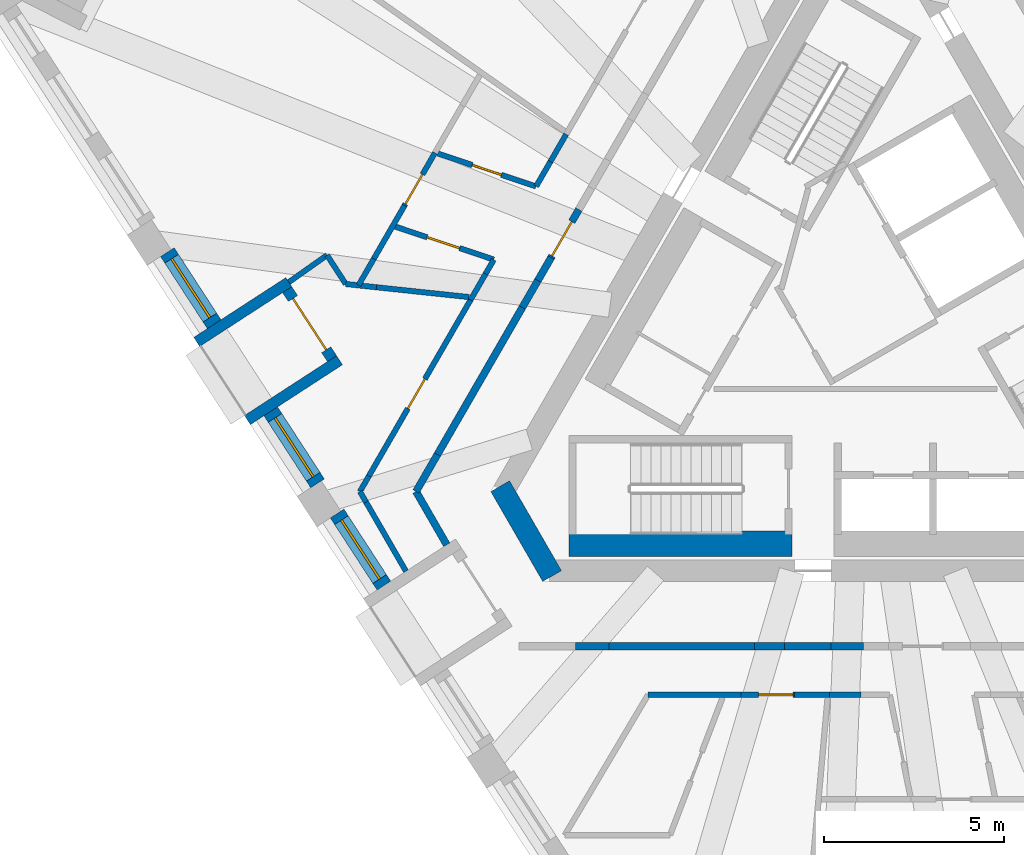
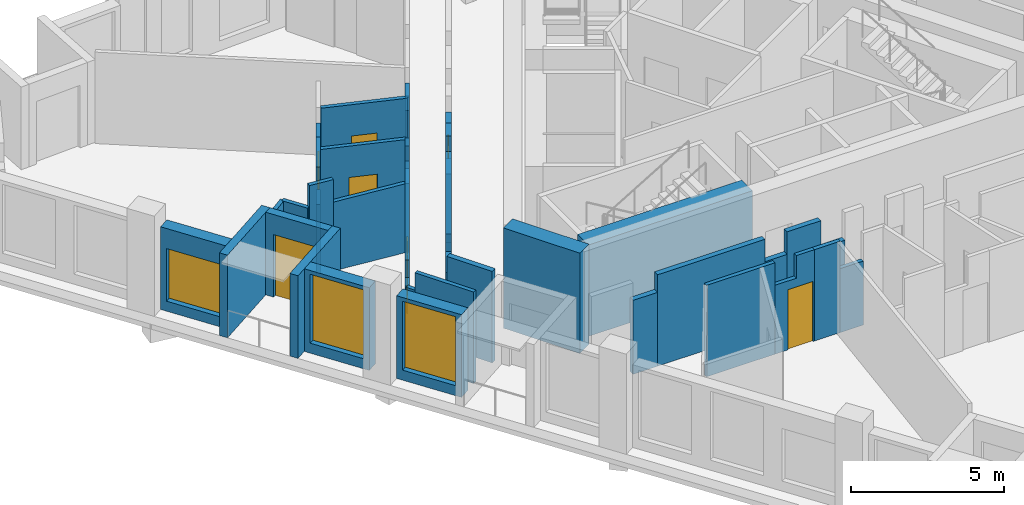
# One storey, part 3 of 13: 40 walls, 7 doors, 3 windows, 10 openings.
"""IFC4 building model written with IfcOpenShell, lengths in metres."""

from ifc_helpers import new_model, si_unit, direction, frame, frame_2d, origin, place, context, subcontext, project, spatial, polyline, rectangle, outline, extrude, material, layer, layer_set, type_object, element, fill, save


model = new_model("IFC4")

# Units and contexts
model_context = context("Model", 3, precision=1e-05, world=origin(), true_north=direction((0.0, 1.0)))
body_context = subcontext(model_context, "Body", "Model", "MODEL_VIEW")
ifc_project = project(units=[si_unit("LENGTHUNIT", "METRE"), si_unit("AREAUNIT", "SQUARE_METRE"), si_unit("VOLUMEUNIT", "CUBIC_METRE"), si_unit("PLANEANGLEUNIT", "RADIAN"), si_unit("MASSUNIT", "GRAM", prefix="KILO")], contexts=[model_context])

# Site, building, storey
site_placement = place(None, origin())
site = spatial("IfcSite", under=ifc_project, at=site_placement, CompositionType="ELEMENT")
building_placement = place(site_placement, origin())
building = spatial("IfcBuilding", under=site, at=building_placement, Name="Tramontana Tower", CompositionType="ELEMENT")
storey_placement = place(building_placement, frame((0.0, 0.0, 286.39990234375)))
storey = spatial("IfcBuildingStorey", under=building, at=storey_placement, Name="L67", CompositionType="ELEMENT", Elevation=286.39990234375)

# Walls
ifc_material_1 = material(Name="Concrete 70 MPa", Category="concrete")
ifc_layer_1 = layer(ifc_material_1, 0.60009765625)
ifc_layer_set_1 = layer_set([ifc_layer_1], Name="Core wall 600 70 MPa")
wall_type_1 = type_object("IfcWallType", Name="Core wall 600 70 MPa", PredefinedType="SHEAR", material=ifc_layer_set_1)
wall_1_placement = place(storey_placement, frame((-9.98828125, -4.10009765625, 0.0), z_axis=(0.0, 0.0, 1.0), x_axis=(0.499995765644, -0.866027848477, 0.0)))
element("IfcWall", 1, at=wall_1_placement, inside=storey, type_object=wall_type_1, Name="Core wall C2 L67", PredefinedType="SHEAR", context=body_context, shape_type="SweptSolid", body=[
    extrude(rectangle(XDim=2.88671875, YDim=0.60009765625, at=frame_2d((1.443359375, 0.0))), origin(), (0.0, 0.0, 1.0), 4.0),
])
ifc_material_2 = material(Name="Blockwork", Category="masonry")
ifc_layer_2 = layer(ifc_material_2, 0.199951171875)
ifc_layer_set_2 = layer_set([ifc_layer_2], Name="ENTRY WALL 200")
wall_type_2 = type_object("IfcWallType", Name="ENTRY WALL 200", PredefinedType="SOLIDWALL", material=ifc_layer_set_2)
wall_2_placement = place(storey_placement, frame((0.104248046875, -8.550048828125, 0.0), z_axis=(0.0, 0.0, 1.0), x_axis=(-1.0, 0.0, 0.0)))
element("IfcWall", 2, at=wall_2_placement, inside=storey, type_object=wall_type_2, Name="Wall v71-ew1-6", PredefinedType="SOLIDWALL", context=body_context, shape_type="SweptSolid", body=[
    extrude(rectangle(XDim=0.900634765625, YDim=0.199951171875, at=frame_2d((0.4501953125, 0.0))), origin(), (0.0, 0.0, 1.0), 2.550048828125),
])
wall_3_placement = place(storey_placement, frame((-0.79638671875, -8.550048828125, 0.0), z_axis=(0.0, 0.0, 1.0), x_axis=(-1.0, 0.0, 0.0)))
element("IfcWall", 3, at=wall_3_placement, inside=storey, type_object=wall_type_2, Name="Wall v71-ew1-7", PredefinedType="SOLIDWALL", context=body_context, shape_type="SweptSolid", body=[
    extrude(rectangle(XDim=1.2861328125, YDim=0.199951171875, at=frame_2d((0.64306640625, 0.0))), origin(), (0.0, 0.0, 1.0), 3.650146484375),
])
wall_4_placement = place(storey_placement, frame((-2.08251953125, -8.550048828125, 0.0), z_axis=(0.0, 0.0, 1.0), x_axis=(-1.0, 0.0, 0.0)))
element("IfcWall", 4, at=wall_4_placement, inside=storey, type_object=wall_type_2, Name="Wall v71-ew1-8", PredefinedType="SOLIDWALL", context=body_context, shape_type="SweptSolid", body=[
    extrude(rectangle(XDim=0.83349609375, YDim=0.199951171875, at=frame_2d((0.416748046875, 0.0))), origin(), (0.0, 0.0, 1.0), 2.75),
])
wall_5_placement = place(storey_placement, frame((-2.916015625, -8.550048828125, 0.0), z_axis=(0.0, 0.0, 1.0), x_axis=(-1.0, 0.0, 0.0)))
element("IfcWall", 5, at=wall_5_placement, inside=storey, type_object=wall_type_2, Name="Wall v71-ew1-9", PredefinedType="SOLIDWALL", context=body_context, shape_type="SweptSolid", body=[
    extrude(rectangle(XDim=4.052490234375, YDim=0.199951171875, at=frame_2d((2.0263671875, 0.0))), origin(), (0.0, 0.0, 1.0), 3.650146484375),
])
wall_6_placement = place(storey_placement, frame((-6.968505859375, -8.550048828125, 0.0), z_axis=(0.0, 0.0, 1.0), x_axis=(-1.0, 0.0, 0.0)))
element("IfcWall", 6, at=wall_6_placement, inside=storey, type_object=wall_type_2, Name="Wall v71-ew1-10", PredefinedType="SOLIDWALL", context=body_context, shape_type="SweptSolid", body=[
    extrude(rectangle(XDim=0.927490234375, YDim=0.199951171875, at=frame_2d((0.4638671875, 0.0))), origin(), (0.0, 0.0, 1.0), 2.9501953125),
])
wall_7_placement = place(storey_placement, frame((-11.472412109375, -5.729248046875, 0.0), z_axis=(0.0, 0.0, 1.0), x_axis=(-0.499982281718, 0.866035633198, 0.0)))
element("IfcWall", 7, at=wall_7_placement, inside=storey, type_object=wall_type_2, Name="Wall v71-ew2", PredefinedType="SOLIDWALL", context=body_context, shape_type="SweptSolid", body=[
    extrude(rectangle(XDim=1.7080078125, YDim=0.199951171875, at=frame_2d((0.85400390625, 0.0))), origin(), (0.0, 0.0, 1.0), 3.650146484375),
])
wall_8_placement = place(storey_placement, frame((-12.326416015625, -4.25, 0.0), z_axis=(0.0, 0.0, 1.0), x_axis=(0.499983247966, 0.86603507536, 0.0)))
element("IfcWall", 8, at=wall_8_placement, inside=storey, type_object=wall_type_2, Name="Wall v71-ew3-0", PredefinedType="SOLIDWALL", context=body_context, shape_type="SweptSolid", body=[
    extrude(rectangle(XDim=1.1884765625, YDim=0.199951171875, at=frame_2d((0.59423828125, 0.0))), origin(), (0.0, 0.0, 1.0), 2.9501953125),
])
wall_9_placement = place(storey_placement, frame((-11.732177734375, -3.220703125, 0.0), z_axis=(0.0, 0.0, 1.0), x_axis=(0.500007683529, 0.866020967652, 0.0)))
element("IfcWall", 9, at=wall_9_placement, inside=storey, type_object=wall_type_2, Name="Wall v71-ew3-1", PredefinedType="SOLIDWALL", context=body_context, shape_type="SweptSolid", body=[
    extrude(rectangle(XDim=4.71728515625, YDim=0.199951171875, at=frame_2d((2.358642578125, 0.0))), origin(), (0.0, 0.0, 1.0), 3.650146484375),
])
wall_10_placement = place(storey_placement, frame((-9.37353515625, 0.864501953125, 0.0), z_axis=(0.0, 0.0, 1.0), x_axis=(0.500056482814, 0.86599279096, 0.0)))
element("IfcWall", 10, at=wall_10_placement, inside=storey, type_object=wall_type_2, Name="Wall v71-ew3-2", PredefinedType="SOLIDWALL", context=body_context, shape_type="SweptSolid", body=[
    extrude(rectangle(XDim=0.86474609375, YDim=0.199951171875, at=frame_2d((0.432373046875, 0.0))), origin(), (0.0, 0.0, 1.0), 2.75),
])
wall_11_placement = place(storey_placement, frame((-8.941162109375, 1.61328125, 0.0), z_axis=(0.0, 0.0, 1.0), x_axis=(0.499875190247, 0.866097450739, 0.0)))
element("IfcWall", 11, at=wall_11_placement, inside=storey, type_object=wall_type_2, Name="Wall v71-ew3-3", PredefinedType="SOLIDWALL", context=body_context, shape_type="SweptSolid", body=[
    extrude(rectangle(XDim=0.738037109375, YDim=0.199951171875, at=frame_2d((0.369140625, 0.0))), origin(), (0.0, 0.0, 1.0), 3.650146484375),
])

# Wall, opening, door
wall_12_placement = place(storey_placement, frame((-8.572265625, 2.25244140625, 0.0), z_axis=(0.0, 0.0, 1.0), x_axis=(0.499992328818, 0.866029832698, 0.0)))
wall_12 = element("IfcWall", 12, at=wall_12_placement, inside=storey, type_object=wall_type_2, Name="Wall v71-ew3-4", PredefinedType="SOLIDWALL", context=body_context, shape_type="SweptSolid", body=[
    extrude(outline(polyline([(0.0, 0.0), (1.5400390625, 0.0), (1.5400390625, 2.550048828125), (0.63037109375, 2.550048828125), (0.63037109375, 3.650146484375), (0.0, 3.650146484375), (0.0, 0.0)])), frame((0.0, 0.10009765625, 0.0), z_axis=(0.0, -1.0, 0.0), x_axis=(1.0, 0.0, 0.0)), (0.0, 0.0, 1.0), 0.199951171875),
])
opening_1_placement = place(wall_12_placement, frame((0.050048828125, 0.0, 0.0)))
opening_1 = element("IfcOpeningElement", 13, at=opening_1_placement, cuts=wall_12, Name="Opening B7B-20", PredefinedType="OPENING", context=body_context, shape_type="SweptSolid", body=[
    extrude(rectangle(XDim=1.10009765625, YDim=2.39990234375, at=frame_2d((0.550048828125, 1.199951171875))), frame((0.0, 0.10986328125, 0.0), z_axis=(0.0, -1.0, 0.0), x_axis=(1.0, 0.0, 0.0)), (0.0, 0.0, 1.0), 0.219970703125),
])
ifc_material_3 = material(Name="Painted timber", Category="wood")
door_type_1 = type_object("IfcDoorType", Name="DOOR ENTRY 1100", OperationType="SINGLE_SWING_LEFT", PredefinedType="DOOR", material=ifc_material_3)
door_1_placement = place(opening_1_placement, origin())
door_1 = element("IfcDoor", 14, at=door_1_placement, inside=storey, type_object=door_type_1, Name="Door B7B-20", OperationType="SINGLE_SWING_RIGHT", OverallHeight=2.39990234375, OverallWidth=1.10009765625, PredefinedType="DOOR", context=body_context, shape_type="SweptSolid", body=[
    extrude(rectangle(XDim=1.10009765625, YDim=2.39990234375, at=frame_2d((0.550048828125, 1.199951171875))), frame((0.0, 0.02490234375, 0.0), z_axis=(0.0, -1.0, 0.0), x_axis=(1.0, 0.0, 0.0)), (0.0, 0.0, 1.0), 0.050048828125),
])
fill(opening_1, door_1)

# Wall, opening, window
ifc_material_4 = material(Name="Precast concrete 60 MPa", Category="concrete")
ifc_layer_3 = layer(ifc_material_4, 0.449951171875)
ifc_layer_set_3 = layer_set([ifc_layer_3], Name="Precast concrete 60 MPa, 450 mm")
wall_type_3 = type_object("IfcWallType", Name="EW1 Stone-faced precast wall 450", PredefinedType="SOLIDWALL", material=ifc_layer_set_3)
wall_13_placement = place(storey_placement, frame((-19.236083984375, 2.401123046875, 0.0), z_axis=(0.0, 0.0, 1.0), x_axis=(0.544675520966, -0.838646872563, 0.0)))
wall_13 = element("IfcWall", 15, at=wall_13_placement, inside=storey, type_object=wall_type_3, Name="External wall L67 face 0 bay 2", PredefinedType="SOLIDWALL", context=body_context, shape_type="SweptSolid", body=[
    extrude(rectangle(XDim=2.38671875, YDim=0.449951171875, at=frame_2d((1.193359375, 0.0))), origin(), (0.0, 0.0, 1.0), 3.300048828125),
])
opening_2_placement = place(wall_13_placement, frame((0.21826171875, 0.0, 0.39990234375)))
opening_2 = element("IfcOpeningElement", 16, at=opening_2_placement, cuts=wall_13, Name="Opening M3L", PredefinedType="OPENING", context=body_context, shape_type="SweptSolid", body=[
    extrude(rectangle(XDim=1.949951171875, YDim=2.10009765625, at=frame_2d((0.97509765625, 1.050048828125))), frame((0.0, 0.23486328125, 0.0), z_axis=(0.0, -1.0, 0.0), x_axis=(1.0, 0.0, 0.0)), (0.0, 0.0, 1.0), 0.469970703125),
])
ifc_material_5 = material(Name="Aluminum frame, double glazing unit", Category="aluminium")
window_type_1 = type_object("IfcWindowType", Name="M3L Window 1.95 x 2.1", PartitioningType="SINGLE_PANEL", PredefinedType="WINDOW", material=ifc_material_5)
window_1_placement = place(opening_2_placement, origin())
window_1 = element("IfcWindow", 17, at=window_1_placement, inside=storey, type_object=window_type_1, Name="Window M3L L67 face 0 module 4", OverallHeight=2.10009765625, OverallWidth=1.949951171875, PartitioningType="SINGLE_PANEL", PredefinedType="WINDOW", context=body_context, shape_type="SweptSolid", body=[
    extrude(rectangle(XDim=1.949951171875, YDim=2.10009765625, at=frame_2d((0.97509765625, 1.050048828125))), frame((0.0, 0.030029296875, 0.0), z_axis=(0.0, -1.0, 0.0), x_axis=(1.0, 0.0, 0.0)), (0.0, 0.0, 1.0), 0.06005859375),
])
fill(opening_2, window_1)

wall_14_placement = place(storey_placement, frame((-16.36376953125, -2.021728515625, 0.0), z_axis=(0.0, 0.0, 1.0), x_axis=(0.544603573947, -0.838693595566, 0.0)))
wall_14 = element("IfcWall", 18, at=wall_14_placement, inside=storey, type_object=wall_type_3, Name="External wall L67 face 0 bay 2", PredefinedType="SOLIDWALL", context=body_context, shape_type="SweptSolid", body=[
    extrude(rectangle(XDim=2.38671875, YDim=0.449951171875, at=frame_2d((1.193359375, 0.0))), origin(), (0.0, 0.0, 1.0), 3.300048828125),
])
opening_3_placement = place(wall_14_placement, frame((0.21826171875, 0.0, 0.39990234375)))
opening_3 = element("IfcOpeningElement", 19, at=opening_3_placement, cuts=wall_14, Name="Opening M3", PredefinedType="OPENING", context=body_context, shape_type="SweptSolid", body=[
    extrude(rectangle(XDim=1.949951171875, YDim=2.75, at=frame_2d((0.97509765625, 1.375))), frame((0.0, 0.23486328125, 0.0), z_axis=(0.0, -1.0, 0.0), x_axis=(1.0, 0.0, 0.0)), (0.0, 0.0, 1.0), 0.469970703125),
])
ifc_material_6 = material(Name="Aluminum frame, double glazing unit", Category="aluminium")
window_type_2 = type_object("IfcWindowType", Name="M3 Window 1.95 x 2.75", PartitioningType="SINGLE_PANEL", PredefinedType="WINDOW", material=ifc_material_6)
window_2_placement = place(opening_3_placement, origin())
window_2 = element("IfcWindow", 20, at=window_2_placement, inside=storey, type_object=window_type_2, Name="Window M3 L67 face 0 module 6", OverallHeight=2.75, OverallWidth=1.949951171875, PartitioningType="SINGLE_PANEL", PredefinedType="WINDOW", context=body_context, shape_type="SweptSolid", body=[
    extrude(rectangle(XDim=1.949951171875, YDim=2.75, at=frame_2d((0.97509765625, 1.375))), frame((0.0, 0.030029296875, 0.0), z_axis=(0.0, -1.0, 0.0), x_axis=(1.0, 0.0, 0.0)), (0.0, 0.0, 1.0), 0.06005859375),
])
fill(opening_3, window_2)

wall_15_placement = place(storey_placement, frame((-14.519287109375, -4.862060546875, 0.0), z_axis=(0.0, 0.0, 1.0), x_axis=(0.544603573947, -0.838693595566, 0.0)))
wall_15 = element("IfcWall", 21, at=wall_15_placement, inside=storey, type_object=wall_type_3, Name="External wall L67 face 0 bay 3", PredefinedType="SOLIDWALL", context=body_context, shape_type="SweptSolid", body=[
    extrude(rectangle(XDim=2.38671875, YDim=0.449951171875, at=frame_2d((1.193359375, 0.0))), origin(), (0.0, 0.0, 1.0), 3.300048828125),
])
opening_4_placement = place(wall_15_placement, frame((0.21826171875, 0.0, 0.39990234375)))
opening_4 = element("IfcOpeningElement", 22, at=opening_4_placement, cuts=wall_15, Name="Opening M3", PredefinedType="OPENING", context=body_context, shape_type="SweptSolid", body=[
    extrude(rectangle(XDim=1.949951171875, YDim=2.75, at=frame_2d((0.97509765625, 1.375))), frame((0.0, 0.23486328125, 0.0), z_axis=(0.0, -1.0, 0.0), x_axis=(1.0, 0.0, 0.0)), (0.0, 0.0, 1.0), 0.469970703125),
])
window_3_placement = place(opening_4_placement, origin())
window_3 = element("IfcWindow", 23, at=window_3_placement, inside=storey, type_object=window_type_2, Name="Window M3 L67 face 0 module 7", OverallHeight=2.75, OverallWidth=1.949951171875, PartitioningType="SINGLE_PANEL", PredefinedType="WINDOW", context=body_context, shape_type="SweptSolid", body=[
    extrude(rectangle(XDim=1.949951171875, YDim=2.75, at=frame_2d((0.97509765625, 1.375))), frame((0.0, 0.030029296875, 0.0), z_axis=(0.0, -1.0, 0.0), x_axis=(1.0, 0.0, 0.0)), (0.0, 0.0, 1.0), 0.06005859375),
])
fill(opening_4, window_3)

# Wall, opening, door
ifc_material_7 = material(Name="Precast concrete 60 MPa", Category="concrete")
ifc_layer_4 = layer(ifc_material_7, 0.300048828125)
ifc_layer_set_4 = layer_set([ifc_layer_4], Name="LW1 Stone-faced loggia wall 300")
wall_type_4 = type_object("IfcWallType", Name="LW1 Stone-faced loggia wall 300", PredefinedType="SOLIDWALL", material=ifc_layer_set_4)
wall_16_placement = place(storey_placement, frame((-15.90673828125, 1.359619140625, 0.0), z_axis=(0.0, 0.0, 1.0), x_axis=(0.544658103125, -0.838658184662, 0.0)))
wall_16 = element("IfcWall", 24, at=wall_16_placement, inside=storey, type_object=wall_type_4, Name="Loggia wall L67 G7S0.4", PredefinedType="SOLIDWALL", context=body_context, shape_type="SweptSolid", body=[
    extrude(rectangle(XDim=2.286865234375, YDim=0.300048828125, at=frame_2d((1.1435546875, 0.0))), origin(), (0.0, 0.0, 1.0), 3.300048828125),
])
opening_5_placement = place(wall_16_placement, frame((0.29345703125, 0.0, 0.0)))
opening_5 = element("IfcOpeningElement", 25, at=opening_5_placement, cuts=wall_16, Name="Opening BD-7S0-04", PredefinedType="OPENING", context=body_context, shape_type="SweptSolid", body=[
    extrude(rectangle(XDim=1.699951171875, YDim=2.5, at=frame_2d((0.85009765625, 1.25))), frame((0.0, 0.159912109375, 0.0), z_axis=(0.0, -1.0, 0.0), x_axis=(1.0, 0.0, 0.0)), (0.0, 0.0, 1.0), 0.320068359375),
])
ifc_material_8 = material(Name="Aluminum frame, double glazing unit", Category="aluminium")
door_type_2 = type_object("IfcDoorType", Name="BD3 Sliding door 1.7 x 2.5", OperationType="SLIDING_TO_LEFT", PredefinedType="DOOR", material=ifc_material_8)
door_2_placement = place(opening_5_placement, origin())
door_2 = element("IfcDoor", 26, at=door_2_placement, inside=storey, type_object=door_type_2, Name="Loggia door L67 G7S0.4", OperationType="SLIDING_TO_LEFT", OverallHeight=2.5, OverallWidth=1.699951171875, PredefinedType="DOOR", context=body_context, shape_type="SweptSolid", body=[
    extrude(rectangle(XDim=1.699951171875, YDim=2.5, at=frame_2d((0.85009765625, 1.25))), frame((0.0, 0.02490234375, 0.0), z_axis=(0.0, -1.0, 0.0), x_axis=(1.0, 0.0, 0.0)), (0.0, 0.0, 1.0), 0.050048828125),
])
fill(opening_5, door_2)

# Walls
for number, where, z_axis, x_axis, name in (
    (27, (-18.42041015625, -0.093994140625, 0.0), (0.0, 0.0, 1.0), (0.838664840319, 0.544647854685, 0.0), "Loggia return L67 G7S0.4a"),
    (28, (-17.01171875, -2.263427734375, 0.0), (0.0, 0.0, 1.0), (0.838664840319, 0.544647854685, 0.0), "Loggia return L67 G7S0.4b"),
):
    element("IfcWall", number, at=place(storey_placement, frame(where, z_axis=z_axis, x_axis=x_axis)), inside=storey, type_object=wall_type_4, Name=name, PredefinedType="SOLIDWALL", context=body_context, shape_type="SweptSolid", body=[
        extrude(rectangle(XDim=3.0498046875, YDim=0.300048828125, at=frame_2d((1.52490234375, 0.0))), origin(), (0.0, 0.0, 1.0), 3.300048828125),
    ])
ifc_material_9 = material(Name="Gypsum board partition")
ifc_layer_5 = layer(ifc_material_9, 0.14990234375)
ifc_layer_set_5 = layer_set([ifc_layer_5], Name="PARTITION 150")
wall_type_5 = type_object("IfcWallType", Name="PARTITION 150", PredefinedType="PARTITIONING", material=ifc_layer_set_5)
wall_17_placement = place(storey_placement, frame((-14.80126953125, 2.316162109375, 0.0), z_axis=(0.0, 0.0, 1.0), x_axis=(-0.817009530875, -0.576624163958, 0.0)))
element("IfcWall", 29, at=wall_17_placement, inside=storey, type_object=wall_type_5, Name="Wall v71-pw02-0", PredefinedType="PARTITIONING", context=body_context, shape_type="SweptSolid", body=[
    extrude(rectangle(XDim=1.299072265625, YDim=0.14990234375, at=frame_2d((0.6494140625, 0.0))), origin(), (0.0, 0.0, 1.0), 2.75),
])
wall_18_placement = place(storey_placement, frame((-14.279296875, 1.51611328125, 0.0), z_axis=(0.0, 0.0, 1.0), x_axis=(-0.5444931366, 0.838765297444, 0.0)))
element("IfcWall", 30, at=wall_18_placement, inside=storey, type_object=wall_type_5, Name="Wall v71-pw03-0", PredefinedType="PARTITIONING", context=body_context, shape_type="SweptSolid", body=[
    extrude(rectangle(XDim=0.953369140625, YDim=0.14990234375, at=frame_2d((0.4765625, 0.0))), origin(), (0.0, 0.0, 1.0), 2.75),
])
wall_19_placement = place(storey_placement, frame((-13.9248046875, 1.4814453125, 0.0), z_axis=(0.0, 0.0, 1.0), x_axis=(0.499846793097, 0.866113839764, 0.0)))
element("IfcWall", 31, at=wall_19_placement, inside=storey, type_object=wall_type_5, Name="Wall v71-pw04-0", PredefinedType="PARTITIONING", context=body_context, shape_type="SweptSolid", body=[
    extrude(rectangle(XDim=0.849853515625, YDim=0.14990234375, at=frame_2d((0.4248046875, 0.0))), origin(), (0.0, 0.0, 1.0), 2.75),
])
wall_20_placement = place(storey_placement, frame((-13.5, 2.217529296875, 0.0), z_axis=(0.0, 0.0, 1.0), x_axis=(0.500015459501, 0.866016478054, 0.0)))
element("IfcWall", 32, at=wall_20_placement, inside=storey, type_object=wall_type_5, Name="Wall v71-pw04-1", PredefinedType="PARTITIONING", context=body_context, shape_type="SweptSolid", body=[
    extrude(rectangle(XDim=1.70703125, YDim=0.14990234375, at=frame_2d((0.853515625, 0.0))), origin(), (0.0, 0.0, 1.0), 3.650146484375),
])

# Wall, opening, door
wall_21_placement = place(storey_placement, frame((-12.646484375, 3.69580078125, 0.0), z_axis=(0.0, 0.0, 1.0), x_axis=(0.500046963369, 0.865998287773, 0.0)))
wall_21 = element("IfcWall", 33, at=wall_21_placement, inside=storey, type_object=wall_type_5, Name="Wall v71-pw04-2", PredefinedType="PARTITIONING", context=body_context, shape_type="SweptSolid", body=[
    extrude(outline(polyline([(0.0, 0.0), (1.693115234375, 0.0), (1.693359375, 2.550048828125), (0.80908203125, 2.550048828125), (0.80908203125, 3.650146484375), (0.0, 3.650146484375), (0.0, 0.0)])), frame((0.0, 0.074951171875, 0.0), z_axis=(0.0, -1.0, 0.0), x_axis=(1.0, 0.0, 0.0)), (0.0, 0.0, 1.0), 0.14990234375),
])
opening_6_placement = place(wall_21_placement, frame((0.050048828125, 0.0, 0.0)))
opening_6 = element("IfcOpeningElement", 34, at=opening_6_placement, cuts=wall_21, Name="Opening B7B-03", PredefinedType="OPENING", context=body_context, shape_type="SweptSolid", body=[
    extrude(rectangle(XDim=0.949951171875, YDim=2.39990234375, at=frame_2d((0.47509765625, 1.199951171875))), frame((0.0, 0.0849609375, 0.0), z_axis=(0.0, -1.0, 0.0), x_axis=(1.0, 0.0, 0.0)), (0.0, 0.0, 1.0), 0.169921875),
])
ifc_material_10 = material(Name="Painted timber", Category="wood")
door_type_3 = type_object("IfcDoorType", Name="DOOR ROOM 950", OperationType="SINGLE_SWING_LEFT", PredefinedType="DOOR", material=ifc_material_10)
door_3_placement = place(opening_6_placement, origin())
door_3 = element("IfcDoor", 35, at=door_3_placement, inside=storey, type_object=door_type_3, Name="Door B7B-03", OperationType="SINGLE_SWING_LEFT", OverallHeight=2.39990234375, OverallWidth=0.949951171875, PredefinedType="DOOR", context=body_context, shape_type="SweptSolid", body=[
    extrude(rectangle(XDim=0.949951171875, YDim=2.39990234375, at=frame_2d((0.47509765625, 1.199951171875))), frame((0.0, 0.02490234375, 0.0), z_axis=(0.0, -1.0, 0.0), x_axis=(1.0, 0.0, 0.0)), (0.0, 0.0, 1.0), 0.050048828125),
])
fill(opening_6, door_3)

# Wall
wall_22_placement = place(storey_placement, frame((-13.88525390625, -4.25, 0.0), z_axis=(0.0, 0.0, 1.0), x_axis=(0.499904868165, 0.866080321209, 0.0)))
element("IfcWall", 36, at=wall_22_placement, inside=storey, type_object=wall_type_5, Name="Wall v71-pw05-0", PredefinedType="PARTITIONING", context=body_context, shape_type="SweptSolid", body=[
    extrude(rectangle(XDim=0.501953125, YDim=0.14990234375, at=frame_2d((0.2509765625, 0.0))), origin(), (0.0, 0.0, 1.0), 2.9501953125),
])

# Wall, opening, door
wall_23_placement = place(storey_placement, frame((-13.63427734375, -3.815185546875, 0.0), z_axis=(0.0, 0.0, 1.0), x_axis=(0.500005829693, 0.866022037983, 0.0)))
wall_23 = element("IfcWall", 37, at=wall_23_placement, inside=storey, type_object=wall_type_5, Name="Wall v71-pw05-1", PredefinedType="PARTITIONING", context=body_context, shape_type="SweptSolid", body=[
    extrude(rectangle(XDim=5.64306640625, YDim=0.14990234375, at=frame_2d((2.821533203125, 0.0))), origin(), (0.0, 0.0, 1.0), 3.650146484375),
])
opening_7_placement = place(wall_23_placement, frame((2.158447265625, 0.0, 0.0)))
opening_7 = element("IfcOpeningElement", 38, at=opening_7_placement, cuts=wall_23, Name="Opening B7B-05", PredefinedType="OPENING", context=body_context, shape_type="SweptSolid", body=[
    extrude(rectangle(XDim=0.949951171875, YDim=2.39990234375, at=frame_2d((0.47509765625, 1.199951171875))), frame((0.0, 0.0849609375, 0.0), z_axis=(0.0, -1.0, 0.0), x_axis=(1.0, 0.0, 0.0)), (0.0, 0.0, 1.0), 0.169921875),
])
door_4_placement = place(opening_7_placement, origin())
door_4 = element("IfcDoor", 39, at=door_4_placement, inside=storey, type_object=door_type_3, Name="Door B7B-05", OperationType="SINGLE_SWING_LEFT", OverallHeight=2.39990234375, OverallWidth=0.949951171875, PredefinedType="DOOR", context=body_context, shape_type="SweptSolid", body=[
    extrude(rectangle(XDim=0.949951171875, YDim=2.39990234375, at=frame_2d((0.47509765625, 1.199951171875))), frame((0.0, 0.02490234375, 0.0), z_axis=(0.0, -1.0, 0.0), x_axis=(1.0, 0.0, 0.0)), (0.0, 0.0, 1.0), 0.050048828125),
])
fill(opening_7, door_4)

# Walls
wall_24_placement = place(storey_placement, frame((-10.812744140625, 1.07177734375, 0.0), z_axis=(0.0, 0.0, 1.0), x_axis=(0.500025132165, 0.866010893236, 0.0)))
element("IfcWall", 40, at=wall_24_placement, inside=storey, type_object=wall_type_5, Name="Wall v71-pw05-2", PredefinedType="PARTITIONING", context=body_context, shape_type="SweptSolid", body=[
    extrude(rectangle(XDim=0.837890625, YDim=0.14990234375, at=frame_2d((0.4189453125, 0.0))), origin(), (0.0, 0.0, 1.0), 2.75),
])
wall_25_placement = place(storey_placement, frame((-10.393798828125, 1.79736328125, 0.0), z_axis=(0.0, 0.0, 1.0), x_axis=(0.499909183523, 0.866077830353, 0.0)))
element("IfcWall", 41, at=wall_25_placement, inside=storey, type_object=wall_type_5, Name="Wall v71-pw05-3", PredefinedType="PARTITIONING", context=body_context, shape_type="SweptSolid", body=[
    extrude(rectangle(XDim=0.45263671875, YDim=0.14990234375, at=frame_2d((0.226318359375, 0.0))), origin(), (0.0, 0.0, 1.0), 3.650146484375),
])
wall_26_placement = place(storey_placement, frame((-12.606201171875, -6.46533203125, 0.0), z_axis=(0.0, 0.0, 1.0), x_axis=(-0.500024353964, 0.86601134256, 0.0)))
element("IfcWall", 42, at=wall_26_placement, inside=storey, type_object=wall_type_5, Name="Wall v71-pw06-0", PredefinedType="PARTITIONING", context=body_context, shape_type="SweptSolid", body=[
    extrude(rectangle(XDim=2.216796875, YDim=0.14990234375, at=frame_2d((1.1083984375, 0.0))), origin(), (0.0, 0.0, 1.0), 3.650146484375),
])
wall_27_placement = place(storey_placement, frame((-13.714599609375, -4.545654296875, 0.0), z_axis=(0.0, 0.0, 1.0), x_axis=(-0.499908181442, 0.866078408764, 0.0)))
element("IfcWall", 43, at=wall_27_placement, inside=storey, type_object=wall_type_5, Name="Wall v71-pw06-1", PredefinedType="PARTITIONING", context=body_context, shape_type="SweptSolid", body=[
    extrude(rectangle(XDim=0.34130859375, YDim=0.14990234375, at=frame_2d((0.170654296875, 0.0))), origin(), (0.0, 0.0, 1.0), 2.9501953125),
])

# Wall, opening, door
wall_28_placement = place(storey_placement, frame((-11.724609375, 5.14208984375, 0.0), z_axis=(0.0, 0.0, 1.0), x_axis=(0.948156269948, -0.317804480394, 0.0)))
wall_28 = element("IfcWall", 44, at=wall_28_placement, inside=storey, type_object=wall_type_5, Name="Wall v71-pw07", PredefinedType="PARTITIONING", context=body_context, shape_type="SweptSolid", body=[
    extrude(rectangle(XDim=2.879150390625, YDim=0.14990234375, at=frame_2d((1.439453125, 0.0))), origin(), (0.0, 0.0, 1.0), 3.650146484375),
])
opening_8_placement = place(wall_28_placement, frame((1.0146484375, 0.0, 0.0)))
opening_8 = element("IfcOpeningElement", 45, at=opening_8_placement, cuts=wall_28, Name="Opening B7B-02", PredefinedType="OPENING", context=body_context, shape_type="SweptSolid", body=[
    extrude(rectangle(XDim=0.85009765625, YDim=2.39990234375, at=frame_2d((0.425048828125, 1.199951171875))), frame((0.0, 0.0849609375, 0.0), z_axis=(0.0, -1.0, 0.0), x_axis=(1.0, 0.0, 0.0)), (0.0, 0.0, 1.0), 0.169921875),
])
ifc_material_11 = material(Name="Painted timber", Category="wood")
door_type_4 = type_object("IfcDoorType", Name="DOOR BATH 850", OperationType="SINGLE_SWING_LEFT", PredefinedType="DOOR", material=ifc_material_11)
door_5_placement = place(opening_8_placement, origin())
door_5 = element("IfcDoor", 46, at=door_5_placement, inside=storey, type_object=door_type_4, Name="Door B7B-02", OperationType="SINGLE_SWING_RIGHT", OverallHeight=2.39990234375, OverallWidth=0.85009765625, PredefinedType="DOOR", context=body_context, shape_type="SweptSolid", body=[
    extrude(rectangle(XDim=0.85009765625, YDim=2.39990234375, at=frame_2d((0.425048828125, 1.199951171875))), frame((0.0, 0.02490234375, 0.0), z_axis=(0.0, -1.0, 0.0), x_axis=(1.0, 0.0, 0.0)), (0.0, 0.0, 1.0), 0.050048828125),
])
fill(opening_8, door_5)

# Walls
wall_29_placement = place(storey_placement, frame((-10.852783203125, 1.15234375, 0.0), z_axis=(0.0, 0.0, 1.0), x_axis=(-0.99441673879, 0.105524166022, 0.0)))
element("IfcWall", 47, at=wall_29_placement, inside=storey, type_object=wall_type_5, Name="Wall v71-pw08-0", PredefinedType="PARTITIONING", context=body_context, shape_type="SweptSolid", body=[
    extrude(rectangle(XDim=2.5888671875, YDim=0.14990234375, at=frame_2d((1.29443359375, 0.0))), origin(), (0.0, 0.0, 1.0), 2.75),
])
wall_30_placement = place(storey_placement, frame((-13.42724609375, 1.425537109375, 0.0), z_axis=(0.0, 0.0, 1.0), x_axis=(-0.994394015125, 0.1057380853, 0.0)))
element("IfcWall", 48, at=wall_30_placement, inside=storey, type_object=wall_type_5, Name="Wall v71-pw08-1", PredefinedType="PARTITIONING", context=body_context, shape_type="SweptSolid", body=[
    extrude(rectangle(XDim=0.856689453125, YDim=0.14990234375, at=frame_2d((0.42822265625, 0.0))), origin(), (0.0, 0.0, 1.0), 3.650146484375),
])

# Wall, opening, door
wall_31_placement = place(storey_placement, frame((-10.169677734375, 2.1953125, 0.0), z_axis=(0.0, 0.0, 1.0), x_axis=(-0.948169123767, 0.317766128993, 0.0)))
wall_31 = element("IfcWall", 49, at=wall_31_placement, inside=storey, type_object=wall_type_5, Name="Wall v71-pw09", PredefinedType="PARTITIONING", context=body_context, shape_type="SweptSolid", body=[
    extrude(rectangle(XDim=2.951171875, YDim=0.14990234375, at=frame_2d((1.4755859375, 0.0))), origin(), (0.0, 0.0, 1.0), 3.650146484375),
])
opening_9_placement = place(wall_31_placement, frame((1.00048828125, 0.0, 0.0)))
opening_9 = element("IfcOpeningElement", 50, at=opening_9_placement, cuts=wall_31, Name="Opening B7B-01", PredefinedType="OPENING", context=body_context, shape_type="SweptSolid", body=[
    extrude(rectangle(XDim=0.949951171875, YDim=2.39990234375, at=frame_2d((0.47509765625, 1.199951171875))), frame((0.0, 0.0849609375, 0.0), z_axis=(0.0, -1.0, 0.0), x_axis=(1.0, 0.0, 0.0)), (0.0, 0.0, 1.0), 0.169921875),
])
door_6_placement = place(opening_9_placement, origin())
door_6 = element("IfcDoor", 51, at=door_6_placement, inside=storey, type_object=door_type_3, Name="Door B7B-01", OperationType="SINGLE_SWING_LEFT", OverallHeight=2.39990234375, OverallWidth=0.949951171875, PredefinedType="DOOR", context=body_context, shape_type="SweptSolid", body=[
    extrude(rectangle(XDim=0.949951171875, YDim=2.39990234375, at=frame_2d((0.47509765625, 1.199951171875))), frame((0.0, 0.02490234375, 0.0), z_axis=(0.0, -1.0, 0.0), x_axis=(1.0, 0.0, 0.0)), (0.0, 0.0, 1.0), 0.050048828125),
])
fill(opening_9, door_6)

# Walls
wall_32_placement = place(storey_placement, frame((-8.989990234375, 4.22900390625, 0.0), z_axis=(0.0, 0.0, 1.0), x_axis=(0.500067892261, 0.865986202621, 0.0)))
element("IfcWall", 52, at=wall_32_placement, inside=storey, type_object=wall_type_5, Name="Wall v71-pw10-0", PredefinedType="PARTITIONING", context=body_context, shape_type="SweptSolid", body=[
    extrude(rectangle(XDim=0.79541015625, YDim=0.14990234375, at=frame_2d((0.397705078125, 0.0))), origin(), (0.0, 0.0, 1.0), 3.650146484375),
])
wall_33_placement = place(storey_placement, frame((-8.59228515625, 4.917724609375, 0.0), z_axis=(0.0, 0.0, 1.0), x_axis=(0.500036104519, 0.866004557827, 0.0)))
element("IfcWall", 53, at=wall_33_placement, inside=storey, type_object=wall_type_5, Name="Wall v71-pw10-1", PredefinedType="PARTITIONING", context=body_context, shape_type="SweptSolid", body=[
    extrude(rectangle(XDim=0.8759765625, YDim=0.14990234375, at=frame_2d((0.43798828125, 0.0))), origin(), (0.0, 0.0, 1.0), 2.550048828125),
])
wall_34_placement = place(storey_placement, frame((0.037109375, -9.89990234375, 0.0), z_axis=(0.0, 0.0, 1.0), x_axis=(-1.0, 0.0, 0.0)))
element("IfcWall", 54, at=wall_34_placement, inside=storey, type_object=wall_type_5, Name="Wall v71-pw21-1", PredefinedType="PARTITIONING", context=body_context, shape_type="SweptSolid", body=[
    extrude(rectangle(XDim=0.875732421875, YDim=0.14990234375, at=frame_2d((0.43798828125, 0.0))), origin(), (0.0, 0.0, 1.0), 2.550048828125),
])
wall_35_placement = place(storey_placement, frame((-0.838623046875, -9.89990234375, 0.0), z_axis=(0.0, 0.0, 1.0), x_axis=(-1.0, 0.0, 0.0)))
element("IfcWall", 55, at=wall_35_placement, inside=storey, type_object=wall_type_5, Name="Wall v71-pw21-2", PredefinedType="PARTITIONING", context=body_context, shape_type="SweptSolid", body=[
    extrude(rectangle(XDim=0.96875, YDim=0.14990234375, at=frame_2d((0.484375, 0.0))), origin(), (0.0, 0.0, 1.0), 3.650146484375),
])

# Wall, opening, door
wall_36_placement = place(storey_placement, frame((-1.807373046875, -9.89990234375, 0.0), z_axis=(0.0, 0.0, 1.0), x_axis=(-1.0, 0.0, 0.0)))
wall_36 = element("IfcWall", 56, at=wall_36_placement, inside=storey, type_object=wall_type_5, Name="Wall v71-pw21-3", PredefinedType="PARTITIONING", context=body_context, shape_type="SweptSolid", body=[
    extrude(outline(polyline([(0.0, 0.0), (1.490234375, 0.0), (1.490234375, 2.75), (0.682861328125, 2.75), (0.682861328125, 3.650146484375), (0.0, 3.650146484375), (0.0, 0.0)])), frame((0.0, 0.074951171875, 0.0), z_axis=(0.0, -1.0, 0.0), x_axis=(1.0, 0.0, 0.0)), (0.0, 0.0, 1.0), 0.14990234375),
])
opening_10_placement = place(wall_36_placement, frame((0.050048828125, 0.0, 0.0)))
opening_10 = element("IfcOpeningElement", 57, at=opening_10_placement, cuts=wall_36, Name="Opening B7B-10", PredefinedType="OPENING", context=body_context, shape_type="SweptSolid", body=[
    extrude(rectangle(XDim=0.949951171875, YDim=2.39990234375, at=frame_2d((0.47509765625, 1.199951171875))), frame((0.0, 0.0849609375, 0.0), z_axis=(0.0, -1.0, 0.0), x_axis=(1.0, 0.0, 0.0)), (0.0, 0.0, 1.0), 0.169921875),
])
door_7_placement = place(opening_10_placement, origin())
door_7 = element("IfcDoor", 58, at=door_7_placement, inside=storey, type_object=door_type_3, Name="Door B7B-10", OperationType="SINGLE_SWING_RIGHT", OverallHeight=2.39990234375, OverallWidth=0.949951171875, PredefinedType="DOOR", context=body_context, shape_type="SweptSolid", body=[
    extrude(rectangle(XDim=0.949951171875, YDim=2.39990234375, at=frame_2d((0.47509765625, 1.199951171875))), frame((0.0, 0.02490234375, 0.0), z_axis=(0.0, -1.0, 0.0), x_axis=(1.0, 0.0, 0.0)), (0.0, 0.0, 1.0), 0.050048828125),
])
fill(opening_10, door_7)

# Walls
wall_37_placement = place(storey_placement, frame((-3.297607421875, -9.89990234375, 0.0), z_axis=(0.0, 0.0, 1.0), x_axis=(-1.0, 0.0, 0.0)))
element("IfcWall", 59, at=wall_37_placement, inside=storey, type_object=wall_type_5, Name="Wall v71-pw21-4", PredefinedType="PARTITIONING", context=body_context, shape_type="SweptSolid", body=[
    extrude(rectangle(XDim=2.57958984375, YDim=0.14990234375, at=frame_2d((1.289794921875, 0.0))), origin(), (0.0, 0.0, 1.0), 3.650146484375),
])
ifc_material_12 = material(Name="Concrete 70 MPa", Category="concrete")
ifc_layer_6 = layer(ifc_material_12, 0.699951171875)
ifc_layer_set_6 = layer_set([ifc_layer_6], Name="Concrete 70 MPa, 700 mm")
wall_type_6 = type_object("IfcWallType", Name="RC SHAFT BACK WALL 700", PredefinedType="SOLIDWALL", material=ifc_layer_set_6)
wall_38_placement = place(storey_placement, frame((-8.080078125, -5.699951171875, 0.0), z_axis=(0.0, 0.0, 1.0), x_axis=(1.0, 0.0, 0.0)))
element("IfcWall", 60, at=wall_38_placement, inside=storey, type_object=wall_type_6, Name="Wall st2-back", PredefinedType="SOLIDWALL", context=body_context, shape_type="SweptSolid", body=[
    extrude(rectangle(XDim=6.2001953125, YDim=0.699951171875, at=frame_2d((3.10009765625, 0.0))), origin(), (0.0, 0.0, 1.0), 3.650146484375),
])

save(model, "model.ifc")
